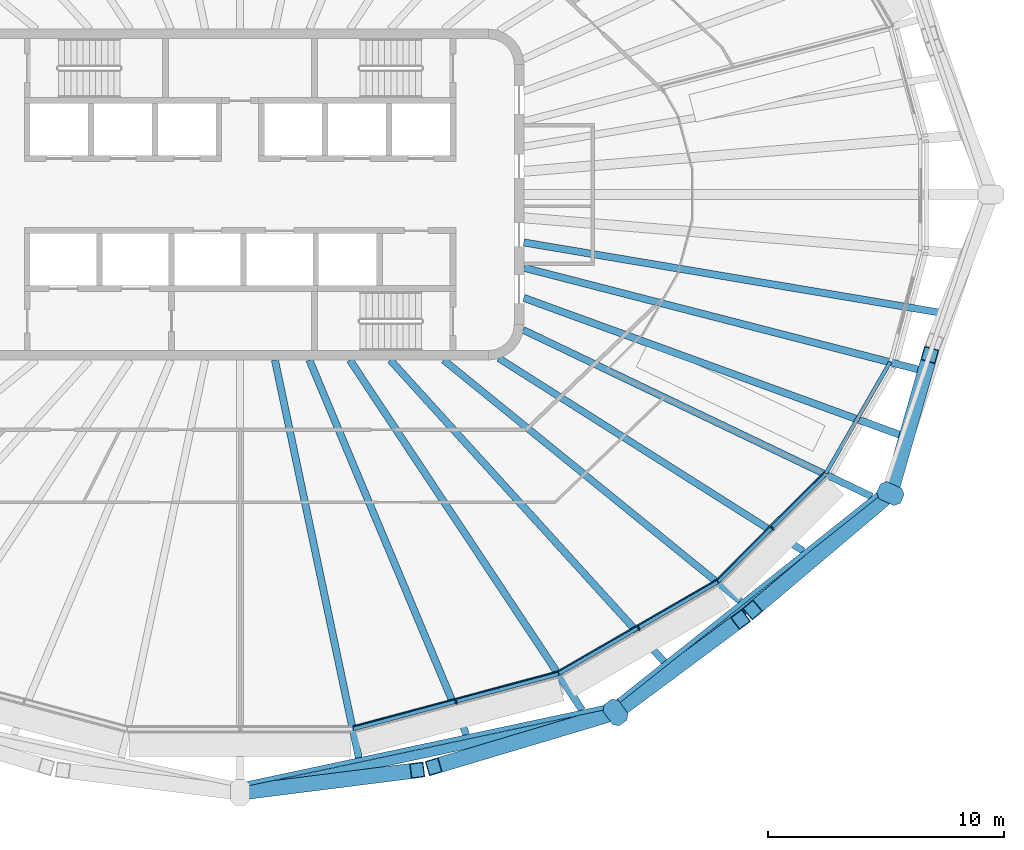
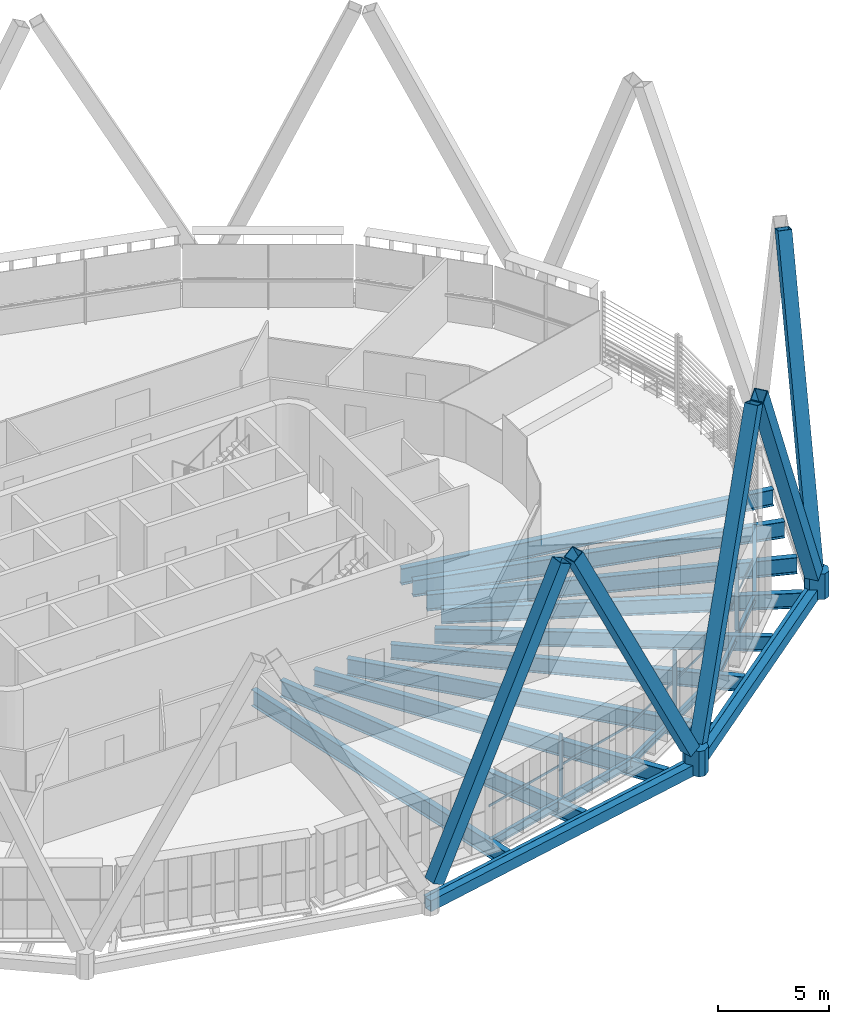
# One storey, part 4 of 22: 18 beams, 13 members, 3 elements without a shape of their own.
"""IFC4 building model written with IfcOpenShell, lengths in metres."""

from ifc_helpers import new_model, si_unit, direction, frame, origin, origin_2d, place, context, subcontext, project, spatial, polyline, rectangle, hollow_rectangle, i_section, outline, extrude, material, layer, layer_set, material_profile, profile_set, type_object, element, aggregate, save


model = new_model("IFC4")

# Units and contexts
model_context = context("Model", 3, precision=1e-05, world=origin(), true_north=direction((0.0, 1.0)))
body_context = subcontext(model_context, "Body", "Model", "MODEL_VIEW")
ifc_project = project(units=[si_unit("LENGTHUNIT", "METRE"), si_unit("AREAUNIT", "SQUARE_METRE"), si_unit("VOLUMEUNIT", "CUBIC_METRE"), si_unit("PLANEANGLEUNIT", "RADIAN"), si_unit("MASSUNIT", "GRAM", prefix="KILO")], contexts=[model_context])

# Site, building, storey
site_placement = place(None, origin())
site = spatial("IfcSite", under=ifc_project, at=site_placement, CompositionType="ELEMENT")
building_placement = place(site_placement, origin())
building = spatial("IfcBuilding", under=site, at=building_placement, Name="Sahrelin Media Tower", CompositionType="ELEMENT")
storey_placement = place(building_placement, frame((0.0, 0.0, 283.0)))
storey = spatial("IfcBuildingStorey", under=building, at=storey_placement, Name="L62", CompositionType="ELEMENT", Elevation=283.0)

# Members
ifc_material_1 = material(Name="Steel S460", Category="steel")
ifc_material_profile_1 = material_profile(ifc_material_1, hollow_rectangle(XDim=0.64990234375, YDim=0.64990234375, WallThickness=0.034912109375, at=origin_2d()), Name="Diagrid diagonal DG8")
ifc_profile_set_1 = profile_set([ifc_material_profile_1], Name="Steel S460")
member_type_1 = type_object("IfcMemberType", Name="Diagrid diagonal DG8", PredefinedType="BRACE", material=ifc_profile_set_1)
member_1_placement = place(storey_placement, frame((0.343017578125, -25.247314453125, 0.699951171875), z_axis=(0.43920847256, 0.05532839218, 0.896679812782), x_axis=(-0.124985158945, 0.992158611334, 0.0)))
element("IfcMember", 1, at=member_1_placement, inside=storey, type_object=member_type_1, Name="Diagrid diagonal D14-18", PredefinedType="BRACE", context=body_context, shape_type="SweptSolid", body=[
    extrude(hollow_rectangle(XDim=0.64990234375, YDim=0.64990234375, WallThickness=0.034912109375, at=origin_2d()), origin(), (0.0, 0.0, 1.0), 16.282470703125),
])
member_2_placement = place(storey_placement, frame((15.52783203125, -22.007080078125, 0.699951171875), z_axis=(-0.445117153256, -0.132902839431, 0.885554941914), x_axis=(0.286098869613, -0.958200102696, 0.0)))
element("IfcMember", 2, at=member_2_placement, inside=storey, type_object=member_type_1, Name="Diagrid diagonal D14-19", PredefinedType="BRACE", context=body_context, shape_type="SweptSolid", body=[
    extrude(hollow_rectangle(XDim=0.64990234375, YDim=0.64990234375, WallThickness=0.034912109375, at=origin_2d()), origin(), (0.0, 0.0, 1.0), 16.487060546875),
])
member_3_placement = place(storey_placement, frame((16.121826171875, -21.722412109375, 0.699951171875), z_axis=(0.317562028427, 0.235967722545, 0.918408183771), x_axis=(-0.596429054318, 0.802665797929, 0.0)))
element("IfcMember", 3, at=member_3_placement, inside=storey, type_object=member_type_1, Name="Diagrid diagonal D14-20", PredefinedType="BRACE", context=body_context, shape_type="SweptSolid", body=[
    extrude(hollow_rectangle(XDim=0.64990234375, YDim=0.64990234375, WallThickness=0.034912109375, at=origin_2d()), origin(), (0.0, 0.0, 1.0), 15.897216796875),
])
member_4_placement = place(storey_placement, frame((27.23779296875, -12.870361328125, 0.699951171875), z_axis=(-0.340774386731, -0.287854833306, 0.894992967733), x_axis=(0.645298316968, -0.763930678869, 0.0)))
element("IfcMember", 4, at=member_4_placement, inside=storey, type_object=member_type_1, Name="Diagrid diagonal D14-21", PredefinedType="BRACE", context=body_context, shape_type="SweptSolid", body=[
    extrude(hollow_rectangle(XDim=0.64990234375, YDim=0.64990234375, WallThickness=0.034912109375, at=origin_2d()), origin(), (0.0, 0.0, 1.0), 16.31298828125),
])
member_5_placement = place(storey_placement, frame((27.580810546875, -12.376953125, 0.699951171875), z_axis=(0.101325736201, 0.356092469212, 0.928940928452), x_axis=(-0.961819462304, 0.273684712642, 0.0)))
element("IfcMember", 5, at=member_5_placement, inside=storey, type_object=member_type_1, Name="Diagrid diagonal D14-22", PredefinedType="BRACE", context=body_context, shape_type="SweptSolid", body=[
    extrude(hollow_rectangle(XDim=0.64990234375, YDim=0.64990234375, WallThickness=0.034912109375, at=origin_2d()), origin(), (0.0, 0.0, 1.0), 15.717041015625),
])
ifc_material_profile_2 = material_profile(ifc_material_1, outline(polyline([(0.35009765625, -0.39990234375), (0.550048828125, -0.199951171875), (0.550048828125, 0.199951171875), (0.35009765625, 0.39990234375), (-0.35009765625, 0.39990234375), (-0.550048828125, 0.199951171875), (-0.550048828125, -0.199951171875), (-0.35009765625, -0.39990234375), (0.35009765625, -0.39990234375)])), Name="Diagrid node block 1100")
ifc_profile_set_2 = profile_set([ifc_material_profile_2], Name="Steel S460")
member_type_2 = type_object("IfcMemberType", Name="Diagrid node block 1100", PredefinedType="USERDEFINED", material=ifc_profile_set_2)
for number, where, z_axis, x_axis, name in (
    (6, (15.879638671875, -21.902099609375, -0.699951171875), (0.0, 0.0, 1.0), (0.586981533995, -0.809600320374, 0.0), "Diagrid node N14-10"),
    (7, (27.50439453125, -12.645263671875, -0.699951171875), (0.0, 0.0, 1.0), (0.90857453379, -0.417722774755, 0.0), "Diagrid node N14-11"),
):
    element("IfcMember", number, at=place(storey_placement, frame(where, z_axis=z_axis, x_axis=x_axis)), inside=storey, type_object=member_type_2, Name=name, ObjectType="NODE", PredefinedType="USERDEFINED", context=body_context, shape_type="SweptSolid", body=[
        extrude(outline(polyline([(0.35009765625, -0.39990234375), (0.550048828125, -0.199951171875), (0.550048828125, 0.199951171875), (0.35009765625, 0.39990234375), (-0.35009765625, 0.39990234375), (-0.550048828125, 0.199951171875), (-0.550048828125, -0.199951171875), (-0.35009765625, -0.39990234375), (0.35009765625, -0.39990234375)])), origin(), (0.0, 0.0, 1.0), 1.39990234375),
    ])

# Beams
ifc_material_profile_3 = material_profile(ifc_material_1, hollow_rectangle(XDim=0.39990234375, YDim=0.60009765625, WallThickness=0.030029296875, at=origin_2d()), Name="Diagrid ring beam RB1")
ifc_profile_set_3 = profile_set([ifc_material_profile_3], Name="Steel S460")
beam_type_1 = type_object("IfcBeamType", Name="Diagrid ring beam RB1", PredefinedType="BEAM", material=ifc_profile_set_3)
beam_1_placement = place(storey_placement, frame((0.0, -25.29052734375, -0.449951171875), z_axis=(0.977983140365, 0.208683916872, 0.0), x_axis=(-0.208683916872, 0.977983140365, 0.0)))
element("IfcBeam", 8, at=beam_1_placement, inside=storey, type_object=beam_type_1, Name="Diagrid ring beam RB14-09", PredefinedType="BEAM", context=body_context, shape_type="SweptSolid", body=[
    extrude(hollow_rectangle(XDim=0.39990234375, YDim=0.60009765625, WallThickness=0.030029296875, at=origin_2d()), origin(), (0.0, 0.0, 1.0), 16.237060546875),
])
beam_2_placement = place(storey_placement, frame((15.879638671875, -21.902099609375, -0.449951171875), z_axis=(0.78227732761, 0.622930319304, 0.0), x_axis=(-0.622930319304, 0.78227732761, 0.0)))
element("IfcBeam", 9, at=beam_2_placement, inside=storey, type_object=beam_type_1, Name="Diagrid ring beam RB14-10", PredefinedType="BEAM", context=body_context, shape_type="SweptSolid", body=[
    extrude(hollow_rectangle(XDim=0.39990234375, YDim=0.60009765625, WallThickness=0.030029296875, at=origin_2d()), origin(), (0.0, 0.0, 1.0), 14.860107421875),
])
ifc_material_2 = material(Name="Steel S355", Category="steel")
ifc_material_profile_4 = material_profile(ifc_material_2, i_section(OverallWidth=0.1650390625, OverallDepth=0.303466796875, WebThickness=0.006103515625, FlangeThickness=0.01025390625, FilletRadius=0.0087890625, at=origin_2d()), Name="UB 305x165x40")
ifc_profile_set_4 = profile_set([ifc_material_profile_4], Name="Steel S355")
beam_type_2 = type_object("IfcBeamType", Name="Edge beam EB2", PredefinedType="BEAM", material=ifc_profile_set_4)
beam_3_placement = place(storey_placement, frame((27.496826171875, -7.08251953125, -0.351806640625), z_axis=(-0.500011311391, -0.866018873051, 0.0), x_axis=(0.866018873051, -0.500011311391, 0.0)))
element("IfcBeam", 10, at=beam_3_placement, inside=storey, type_object=beam_type_2, Name="Edge beam L62-03", PredefinedType="BEAM", context=body_context, shape_type="SweptSolid", body=[
    extrude(i_section(OverallWidth=0.1650390625, OverallDepth=0.303466796875, WebThickness=0.006103515625, FlangeThickness=0.01025390625, FilletRadius=0.0087890625, at=origin_2d()), origin(), (0.0, 0.0, 1.0), 5.438232421875),
])
ifc_material_profile_5 = material_profile(ifc_material_2, i_section(OverallWidth=0.17138671875, OverallDepth=0.35498046875, WebThickness=0.00732421875, FlangeThickness=0.011474609375, FilletRadius=0.01025390625, at=origin_2d()), Name="UB 356x171x51")
ifc_profile_set_5 = profile_set([ifc_material_profile_5], Name="Steel S355")
beam_type_3 = type_object("IfcBeamType", Name="Edge beam EB3", PredefinedType="BEAM", material=ifc_profile_set_5)
beam_4_placement = place(storey_placement, frame((24.760009765625, -11.815185546875, -0.37744140625), z_axis=(-0.707106781187, -0.707106781187, 0.0), x_axis=(0.707106781187, -0.707106781187, 0.0)))
element("IfcBeam", 11, at=beam_4_placement, inside=storey, type_object=beam_type_3, Name="Edge beam L62-04", PredefinedType="BEAM", context=body_context, shape_type="SweptSolid", body=[
    extrude(i_section(OverallWidth=0.17138671875, OverallDepth=0.35498046875, WebThickness=0.00732421875, FlangeThickness=0.011474609375, FilletRadius=0.01025390625, at=origin_2d()), origin(), (0.0, 0.0, 1.0), 6.429443359375),
])
ifc_material_profile_6 = material_profile(ifc_material_2, i_section(OverallWidth=0.177978515625, OverallDepth=0.406494140625, WebThickness=0.0078125, FlangeThickness=0.0126953125, FilletRadius=0.01025390625, at=origin_2d()), Name="UB 406x178x60")
ifc_profile_set_6 = profile_set([ifc_material_profile_6], Name="Steel S355")
beam_type_4 = type_object("IfcBeamType", Name="Edge beam EB4", PredefinedType="BEAM", material=ifc_profile_set_6)
beam_5_placement = place(storey_placement, frame((20.19091796875, -16.37890625, -0.353271484375), z_axis=(-0.86601536123, -0.500017393812, 0.0), x_axis=(0.500017393812, -0.86601536123, 0.0)))
element("IfcBeam", 12, at=beam_5_placement, inside=storey, type_object=beam_type_4, Name="Edge beam L62-05", PredefinedType="BEAM", context=body_context, shape_type="SweptSolid", body=[
    extrude(i_section(OverallWidth=0.177978515625, OverallDepth=0.406494140625, WebThickness=0.0078125, FlangeThickness=0.0126953125, FilletRadius=0.01025390625, at=origin_2d()), origin(), (0.0, 0.0, 1.0), 7.738525390625),
])
ifc_material_profile_7 = material_profile(ifc_material_2, i_section(OverallWidth=0.1904296875, OverallDepth=0.45703125, WebThickness=0.009033203125, FlangeThickness=0.014404296875, FilletRadius=0.01025390625, at=origin_2d()), Name="UB 457x191x74")
ifc_profile_set_7 = profile_set([ifc_material_profile_7], Name="Steel S355")
beam_type_5 = type_object("IfcBeamType", Name="Edge beam EB5", PredefinedType="BEAM", material=ifc_profile_set_7)
beam_6_placement = place(storey_placement, frame((13.462646484375, -20.25927734375, -0.37841796875), z_axis=(-0.965926576826, -0.258816244043, 0.0), x_axis=(0.258816244043, -0.965926576826, 0.0)))
element("IfcBeam", 13, at=beam_6_placement, inside=storey, type_object=beam_type_5, Name="Edge beam L62-06", PredefinedType="BEAM", context=body_context, shape_type="SweptSolid", body=[
    extrude(i_section(OverallWidth=0.1904296875, OverallDepth=0.45703125, WebThickness=0.009033203125, FlangeThickness=0.014404296875, FilletRadius=0.01025390625, at=origin_2d()), origin(), (0.0, 0.0, 1.0), 8.982177734375),
])

# Curtain wall, member
ifc_material_3 = material(Name="Champagne anodised aluminium 6063-T6", Category="aluminium")
ifc_layer = layer(ifc_material_3, 0.14990234375)
ifc_layer_set = layer_set([ifc_layer], Name="Tower ribbon curtain wall")
curtain_wall_type = type_object("IfcCurtainWallType", Name="Tower ribbon curtain wall", PredefinedType="NOTDEFINED", material=ifc_layer_set)
curtain_wall_1_placement = place(storey_placement, frame((9.163330078125, -21.56640625, 0.0), z_axis=(0.0, 0.0, 1.0), x_axis=(1.0, 0.0, 0.0)))
curtain_wall_1 = element("IfcCurtainWall", 14, at=curtain_wall_1_placement, inside=storey, type_object=curtain_wall_type, Name="L62:CW:L62-19", PredefinedType="NOTDEFINED")
ifc_material_profile_8 = material_profile(ifc_material_3, rectangle(XDim=0.06005859375, YDim=0.199951171875, at=origin_2d()), Name="Mullion 60x200")
ifc_profile_set_8 = profile_set([ifc_material_profile_8], Name="Champagne anodised aluminium 6063-T6")
member_type_3 = type_object("IfcMemberType", Name="Mullion 60x200 CW1C", PredefinedType="MULLION", material=ifc_profile_set_8)
member_6_placement = place(storey_placement, frame((9.13232421875, -21.45068359375, 0.0), z_axis=(0.0, 0.0, 1.0), x_axis=(0.965927633163, 0.258812301662, 0.0)))
member_6 = element("IfcMember", 15, at=member_6_placement, type_object=member_type_3, Name="L62:CWM:L62-19", PredefinedType="MULLION", context=body_context, shape_type="SweptSolid", body=[
    extrude(rectangle(XDim=0.06005859375, YDim=0.199951171875, at=origin_2d()), origin(), (0.0, 0.0, 1.0), 3.448486328125),
])

curtain_wall_2_placement = place(storey_placement, frame((16.9150390625, -18.443603515625, 0.0), z_axis=(0.0, 0.0, 1.0), x_axis=(1.0, 0.0, 0.0)))
curtain_wall_2 = element("IfcCurtainWall", 16, at=curtain_wall_2_placement, inside=storey, type_object=curtain_wall_type, Name="L62:CW:L62-20", PredefinedType="NOTDEFINED")
member_7_placement = place(storey_placement, frame((16.85498046875, -18.339599609375, 0.0), z_axis=(0.0, 0.0, 1.0), x_axis=(0.86602365845, 0.500003022996, 0.0)))
member_7 = element("IfcMember", 17, at=member_7_placement, type_object=member_type_3, Name="L62:CWM:L62-20", PredefinedType="MULLION", context=body_context, shape_type="SweptSolid", body=[
    extrude(rectangle(XDim=0.06005859375, YDim=0.199951171875, at=origin_2d()), origin(), (0.0, 0.0, 1.0), 3.448486328125),
])

curtain_wall_3_placement = place(storey_placement, frame((22.593017578125, -14.1943359375, 0.0), z_axis=(0.0, 0.0, 1.0), x_axis=(1.0, 0.0, 0.0)))
curtain_wall_3 = element("IfcCurtainWall", 18, at=curtain_wall_3_placement, inside=storey, type_object=curtain_wall_type, Name="L62:CW:L62-21", PredefinedType="NOTDEFINED")
member_8_placement = place(storey_placement, frame((22.508056640625, -14.109619140625, 0.0), z_axis=(0.0, 0.0, 1.0), x_axis=(0.707106781187, 0.707106781187, 0.0)))
member_8 = element("IfcMember", 19, at=member_8_placement, type_object=member_type_3, Name="L62:CWM:L62-21", PredefinedType="MULLION", context=body_context, shape_type="SweptSolid", body=[
    extrude(rectangle(XDim=0.06005859375, YDim=0.199951171875, at=origin_2d()), origin(), (0.0, 0.0, 1.0), 3.448486328125),
])

# Beams
ifc_material_profile_9 = material_profile(ifc_material_2, i_section(OverallWidth=0.291748046875, OverallDepth=0.8349609375, WebThickness=0.013916015625, FlangeThickness=0.018798828125, FilletRadius=0.017822265625, at=origin_2d()), Name="UB 838x292x176")
ifc_profile_set_9 = profile_set([ifc_material_profile_9], Name="Steel S355")
beam_type_6 = type_object("IfcBeamType", Name="Radial primary beam PB10", PredefinedType="BEAM", material=ifc_profile_set_9)
beam_7_placement = place(storey_placement, frame((8.614501953125, -7.0, -0.5673828125), z_axis=(0.776084892008, -0.630628448769, 0.0), x_axis=(0.630628448769, 0.776084892008, 0.0)))
element("IfcBeam", 20, at=beam_7_placement, inside=storey, type_object=beam_type_6, Name="Radial beam L62-21", PredefinedType="BEAM", context=body_context, shape_type="SweptSolid", body=[
    extrude(i_section(OverallWidth=0.291748046875, OverallDepth=0.8349609375, WebThickness=0.013916015625, FlangeThickness=0.018798828125, FilletRadius=0.017822265625, at=origin_2d()), origin(), (0.0, 0.0, 1.0), 16.163330078125),
])
beam_8_placement = place(storey_placement, frame((11.970703125, -5.7216796875, -0.5673828125), z_axis=(0.902234066449, -0.431246668787, 0.0), x_axis=(0.431246668787, 0.902234066449, 0.0)))
element("IfcBeam", 21, at=beam_8_placement, inside=storey, type_object=beam_type_6, Name="Radial beam L62-22", PredefinedType="BEAM", context=body_context, shape_type="SweptSolid", body=[
    extrude(i_section(OverallWidth=0.291748046875, OverallDepth=0.8349609375, WebThickness=0.013916015625, FlangeThickness=0.018798828125, FilletRadius=0.017822265625, at=origin_2d()), origin(), (0.0, 0.0, 1.0), 16.34130859375),
])
ifc_material_profile_10 = material_profile(ifc_material_2, i_section(OverallWidth=0.30322265625, OverallDepth=0.903076171875, WebThickness=0.01513671875, FlangeThickness=0.020263671875, FilletRadius=0.01904296875, at=origin_2d()), Name="UB 914x305x201")
ifc_profile_set_10 = profile_set([ifc_material_profile_10], Name="Steel S355")
beam_type_7 = type_object("IfcBeamType", Name="Radial primary beam PB11", PredefinedType="BEAM", material=ifc_profile_set_10)
beam_9_placement = place(storey_placement, frame((1.475341796875, -7.0, -0.6015625), z_axis=(0.206228140051, -0.978503936758, 0.0), x_axis=(0.978503936758, 0.206228140051, 0.0)))
element("IfcBeam", 22, at=beam_9_placement, inside=storey, type_object=beam_type_7, Name="Radial beam L62-19", PredefinedType="BEAM", context=body_context, shape_type="SweptSolid", body=[
    extrude(i_section(OverallWidth=0.30322265625, OverallDepth=0.903076171875, WebThickness=0.01513671875, FlangeThickness=0.020263671875, FilletRadius=0.01904296875, at=origin_2d()), origin(), (0.0, 0.0, 1.0), 17.1845703125),
])
beam_10_placement = place(storey_placement, frame((4.645263671875, -7.0, -0.6015625), z_axis=(0.552932146069, -0.833226284897, 0.0), x_axis=(0.833226284897, 0.552932146069, 0.0)))
element("IfcBeam", 23, at=beam_10_placement, inside=storey, type_object=beam_type_7, Name="Radial beam L62-20", PredefinedType="BEAM", context=body_context, shape_type="SweptSolid", body=[
    extrude(i_section(OverallWidth=0.30322265625, OverallDepth=0.903076171875, WebThickness=0.01513671875, FlangeThickness=0.020263671875, FilletRadius=0.01904296875, at=origin_2d()), origin(), (0.0, 0.0, 1.0), 17.76171875),
])
beam_11_placement = place(storey_placement, frame((12.0, -3.093994140625, -0.651611328125), z_axis=(0.968326610454, -0.249686954978, 0.0), x_axis=(0.249686954978, 0.968326610454, 0.0)))
element("IfcBeam", 24, at=beam_11_placement, inside=storey, type_object=beam_type_7, Name="Radial beam L62-23", PredefinedType="BEAM", context=body_context, shape_type="SweptSolid", body=[
    extrude(i_section(OverallWidth=0.30322265625, OverallDepth=0.903076171875, WebThickness=0.01513671875, FlangeThickness=0.020263671875, FilletRadius=0.01904296875, at=origin_2d()), origin(), (0.0, 0.0, 1.0), 17.390869140625),
])
ifc_material_profile_11 = material_profile(ifc_material_2, i_section(OverallWidth=0.291748046875, OverallDepth=0.8349609375, WebThickness=0.013916015625, FlangeThickness=0.018798828125, FilletRadius=0.017822265625, at=origin_2d()), Name="UB 838x292x176")
ifc_profile_set_11 = profile_set([ifc_material_profile_11], Name="Steel S355")
beam_type_8 = type_object("IfcBeamType", Name="Radial secondary beam SB10", PredefinedType="BEAM", material=ifc_profile_set_11)
beam_12_placement = place(storey_placement, frame((10.9453125, -6.92529296875, -0.5673828125), z_axis=(0.845064505268, -0.534664363817, 0.0), x_axis=(0.534664363817, 0.845064505268, 0.0)))
element("IfcBeam", 25, at=beam_12_placement, inside=storey, type_object=beam_type_8, Name="Secondary beam L62-21", PredefinedType="BEAM", context=body_context, shape_type="SweptSolid", body=[
    extrude(i_section(OverallWidth=0.291748046875, OverallDepth=0.8349609375, WebThickness=0.013916015625, FlangeThickness=0.018798828125, FilletRadius=0.017822265625, at=origin_2d()), origin(), (0.0, 0.0, 1.0), 15.237548828125),
])
ifc_material_profile_12 = material_profile(ifc_material_2, i_section(OverallWidth=0.30322265625, OverallDepth=0.903076171875, WebThickness=0.01513671875, FlangeThickness=0.020263671875, FilletRadius=0.01904296875, at=origin_2d()), Name="UB 914x305x201")
ifc_profile_set_12 = profile_set([ifc_material_profile_12], Name="Steel S355")
beam_type_9 = type_object("IfcBeamType", Name="Radial secondary beam SB11", PredefinedType="BEAM", material=ifc_profile_set_12)
beam_13_placement = place(storey_placement, frame((2.93310546875, -7.0, -0.6015625), z_axis=(0.386479475231, -0.922298007818, 0.0), x_axis=(0.922298007818, 0.386479475231, 0.0)))
element("IfcBeam", 26, at=beam_13_placement, inside=storey, type_object=beam_type_9, Name="Secondary beam L62-19", PredefinedType="BEAM", context=body_context, shape_type="SweptSolid", body=[
    extrude(i_section(OverallWidth=0.30322265625, OverallDepth=0.903076171875, WebThickness=0.01513671875, FlangeThickness=0.020263671875, FilletRadius=0.01904296875, at=origin_2d()), origin(), (0.0, 0.0, 1.0), 17.178466796875),
])
beam_14_placement = place(storey_placement, frame((6.355224609375, -7.0, -0.6015625), z_axis=(0.672188169789, -0.740380351168, 0.0), x_axis=(0.740380351168, 0.672188169789, 0.0)))
element("IfcBeam", 27, at=beam_14_placement, inside=storey, type_object=beam_type_9, Name="Secondary beam L62-20", PredefinedType="BEAM", context=body_context, shape_type="SweptSolid", body=[
    extrude(i_section(OverallWidth=0.30322265625, OverallDepth=0.903076171875, WebThickness=0.01513671875, FlangeThickness=0.020263671875, FilletRadius=0.01904296875, at=origin_2d()), origin(), (0.0, 0.0, 1.0), 17.2314453125),
])
beam_15_placement = place(storey_placement, frame((12.0, -4.368408203125, -0.651611328125), z_axis=(0.939678944204, -0.342057717089, 0.0), x_axis=(0.342057717089, 0.939678944204, 0.0)))
element("IfcBeam", 28, at=beam_15_placement, inside=storey, type_object=beam_type_9, Name="Secondary beam L62-22", PredefinedType="BEAM", context=body_context, shape_type="SweptSolid", body=[
    extrude(i_section(OverallWidth=0.30322265625, OverallDepth=0.903076171875, WebThickness=0.01513671875, FlangeThickness=0.020263671875, FilletRadius=0.01904296875, at=origin_2d()), origin(), (0.0, 0.0, 1.0), 16.944091796875),
])
beam_16_placement = place(storey_placement, frame((12.0, -2.0234375, -0.651611328125), z_axis=(0.986079327713, -0.166275552792, 0.0), x_axis=(0.166275552792, 0.986079327713, 0.0)))
element("IfcBeam", 29, at=beam_16_placement, inside=storey, type_object=beam_type_9, Name="Secondary beam L62-23", PredefinedType="BEAM", context=body_context, shape_type="SweptSolid", body=[
    extrude(i_section(OverallWidth=0.30322265625, OverallDepth=0.903076171875, WebThickness=0.01513671875, FlangeThickness=0.020263671875, FilletRadius=0.01904296875, at=origin_2d()), origin(), (0.0, 0.0, 1.0), 17.90869140625),
])
ifc_material_profile_13 = material_profile(ifc_material_2, i_section(OverallWidth=0.1904296875, OverallDepth=0.45703125, WebThickness=0.009033203125, FlangeThickness=0.014404296875, FilletRadius=0.01025390625, at=origin_2d()), Name="UB 457x191x74")
ifc_profile_set_13 = profile_set([ifc_material_profile_13], Name="Steel S355")
beam_type_10 = type_object("IfcBeamType", Name="Tie chord TC5", PredefinedType="BEAM", material=ifc_profile_set_13)
beam_17_placement = place(storey_placement, frame((27.248046875, -12.465576171875, -0.37841796875), z_axis=(-0.782269953525, -0.622939579584, 0.0), x_axis=(0.622939579584, -0.782269953525, 0.0)))
element("IfcBeam", 30, at=beam_17_placement, inside=storey, type_object=beam_type_10, Name="Tie chord L62-02", PredefinedType="BEAM", context=body_context, shape_type="SweptSolid", body=[
    extrude(i_section(OverallWidth=0.1904296875, OverallDepth=0.45703125, WebThickness=0.009033203125, FlangeThickness=0.014404296875, FilletRadius=0.01025390625, at=origin_2d()), origin(), (0.0, 0.0, 1.0), 14.700927734375),
])
beam_18_placement = place(storey_placement, frame((15.748046875, -21.623291015625, -0.37841796875), z_axis=(-0.977986194818, -0.208669601874, 0.0), x_axis=(0.208669601874, -0.977986194818, 0.0)))
element("IfcBeam", 31, at=beam_18_placement, inside=storey, type_object=beam_type_10, Name="Tie chord L62-03", PredefinedType="BEAM", context=body_context, shape_type="SweptSolid", body=[
    extrude(i_section(OverallWidth=0.1904296875, OverallDepth=0.45703125, WebThickness=0.009033203125, FlangeThickness=0.014404296875, FilletRadius=0.01025390625, at=origin_2d()), origin(), (0.0, 0.0, 1.0), 16.1025390625),
])

# Member
ifc_material_profile_14 = material_profile(ifc_material_3, rectangle(XDim=0.050048828125, YDim=0.1201171875, at=origin_2d()), Name="Transom 50x120")
ifc_profile_set_14 = profile_set([ifc_material_profile_14], Name="Champagne anodised aluminium 6063-T6")
member_type_4 = type_object("IfcMemberType", Name="Transom 50x120 CW1C", PredefinedType="USERDEFINED", material=ifc_profile_set_14)
member_9_placement = place(storey_placement, frame((4.777099609375, -22.488037109375, 1.60009765625), z_axis=(0.96593185919, 0.258796528958, 0.0), x_axis=(-0.258796528958, 0.96593185919, 0.0)))
member_9 = element("IfcMember", 32, at=member_9_placement, type_object=member_type_4, Name="L62:CWT:L62-19", ObjectType="TRANSOM", PredefinedType="USERDEFINED", context=body_context, shape_type="SweptSolid", body=[
    extrude(rectangle(XDim=0.050048828125, YDim=0.1201171875, at=origin_2d()), origin(), (0.0, 0.0, 1.0), 8.95068359375),
])

aggregate(curtain_wall_1, [member_6, member_9])

member_10_placement = place(storey_placement, frame((13.455322265625, -20.158203125, 1.60009765625), z_axis=(0.866019939657, 0.500009464026, 0.0), x_axis=(-0.500009464026, 0.866019939657, 0.0)))
member_10 = element("IfcMember", 33, at=member_10_placement, type_object=member_type_4, Name="L62:CWT:L62-20", ObjectType="TRANSOM", PredefinedType="USERDEFINED", context=body_context, shape_type="SweptSolid", body=[
    extrude(rectangle(XDim=0.050048828125, YDim=0.1201171875, at=origin_2d()), origin(), (0.0, 0.0, 1.0), 7.706787109375),
])

aggregate(curtain_wall_2, [member_7, member_10])

member_11_placement = place(storey_placement, frame((20.15771484375, -16.283203125, 1.60009765625), z_axis=(0.707087701391, 0.707125860468, 0.0), x_axis=(-0.707125860468, 0.707087701391, 0.0)))
member_11 = element("IfcMember", 34, at=member_11_placement, type_object=member_type_4, Name="L62:CWT:L62-21", ObjectType="TRANSOM", PredefinedType="USERDEFINED", context=body_context, shape_type="SweptSolid", body=[
    extrude(rectangle(XDim=0.050048828125, YDim=0.1201171875, at=origin_2d()), origin(), (0.0, 0.0, 1.0), 6.39794921875),
])

aggregate(curtain_wall_3, [member_8, member_11])

save(model, "model.ifc")
